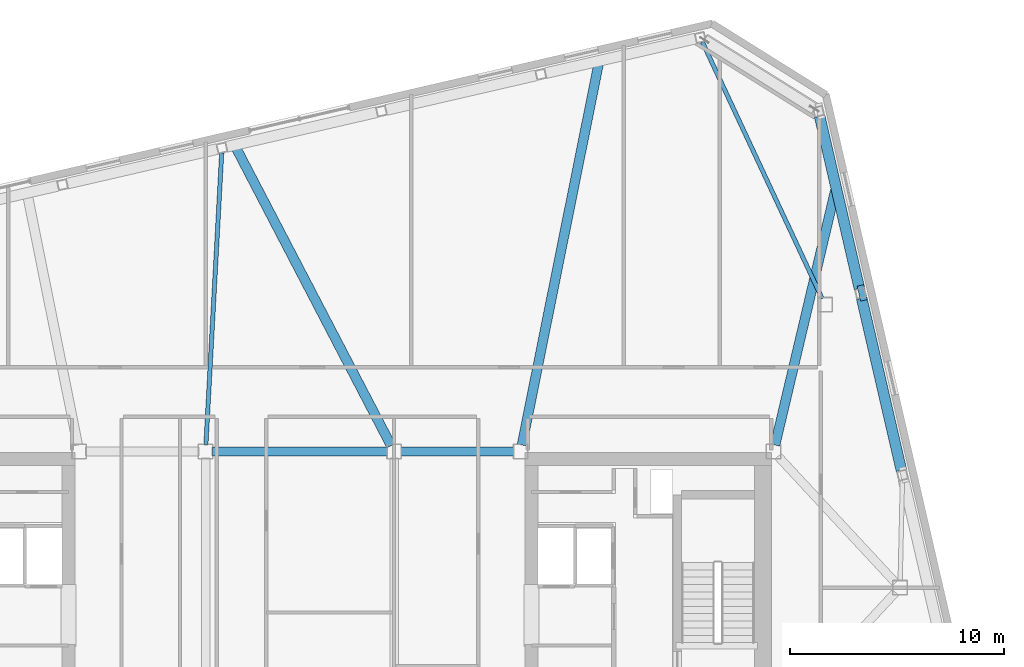
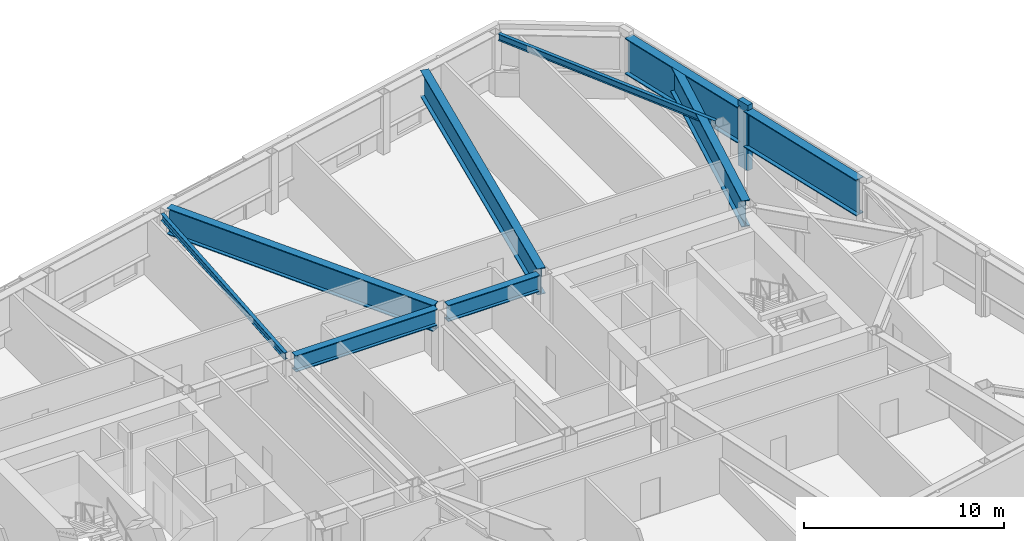
# One storey, part 13 of 23: 9 beams, 1 member.
"""IFC4 building model written with IfcOpenShell, lengths in metres."""

from ifc_helpers import new_model, si_unit, direction, frame, origin, origin_2d, place, context, subcontext, project, spatial, rectangle, i_section, extrude, material, material_profile, profile_set, type_object, element, save


model = new_model("IFC4")

# Units and contexts
model_context = context("Model", 3, precision=1e-05, world=origin(), true_north=direction((0.0, 1.0)))
body_context = subcontext(model_context, "Body", "Model", "MODEL_VIEW")
ifc_project = project(units=[si_unit("LENGTHUNIT", "METRE"), si_unit("AREAUNIT", "SQUARE_METRE"), si_unit("VOLUMEUNIT", "CUBIC_METRE"), si_unit("PLANEANGLEUNIT", "RADIAN"), si_unit("MASSUNIT", "GRAM", prefix="KILO")], contexts=[model_context])

# Site, building, storey
site_placement = place(None, origin())
site = spatial("IfcSite", under=ifc_project, at=site_placement, CompositionType="ELEMENT")
building_placement = place(site_placement, origin())
building = spatial("IfcBuilding", under=site, at=building_placement, Name="Tavrogorsk Clinical Tower", CompositionType="ELEMENT")
storey_placement = place(building_placement, frame((0.0, 0.0, 329.0)))
storey = spatial("IfcBuildingStorey", under=building, at=storey_placement, Name="L77", CompositionType="ELEMENT", Elevation=329.0)

# Beams
ifc_material_1 = material(Name="Structural steel S355", Category="steel")
ifc_material_profile_1 = material_profile(ifc_material_1, i_section(OverallWidth=0.199951171875, OverallDepth=0.39990234375, WebThickness=0.010498046875, FlangeThickness=0.01611328125, at=origin_2d()), Name="B-400x200x10.5x16")
ifc_profile_set_1 = profile_set([ifc_material_profile_1], Name="Structural steel S355")
beam_type_1 = type_object("IfcBeamType", Name="FloorBeam_B400", PredefinedType="BEAM", material=ifc_profile_set_1)
beam_1_placement = place(storey_placement, frame((24.368896484375, 13.48095703125, 3.47998046875), z_axis=(-0.422928957087, 0.906162842571, 0.0), x_axis=(-0.906162842571, -0.422928957087, 0.0)))
element("IfcBeam", 1, at=beam_1_placement, inside=storey, type_object=beam_type_1, Name="L77 Radial Floor Beam N1", PredefinedType="BEAM", context=body_context, shape_type="SweptSolid", body=[
    extrude(i_section(OverallWidth=0.199951171875, OverallDepth=0.39990234375, WebThickness=0.010498046875, FlangeThickness=0.01611328125, at=origin_2d()), origin(), (0.0, 0.0, 1.0), 13.214111328125),
])
beam_2_placement = place(storey_placement, frame((-4.38330078125, 6.65966796875, 3.47998046875), z_axis=(0.053993102157, 0.998541308569, 0.0), x_axis=(-0.998541308569, 0.053993102157, 0.0)))
element("IfcBeam", 2, at=beam_2_placement, inside=storey, type_object=beam_type_1, Name="L77 Radial Floor Beam N4", PredefinedType="BEAM", context=body_context, shape_type="SweptSolid", body=[
    extrude(i_section(OverallWidth=0.199951171875, OverallDepth=0.39990234375, WebThickness=0.010498046875, FlangeThickness=0.01611328125, at=origin_2d()), origin(), (0.0, 0.0, 1.0), 13.64208984375),
])

# Member
ifc_material_2 = material(Name="Precast concrete B45 with limestone cladding", Category="masonry")
ifc_material_profile_2 = material_profile(ifc_material_2, rectangle(XDim=0.320068359375, YDim=0.719970703125, at=origin_2d()), Name="LIMESTONE-FIN-320x720")
ifc_profile_set_2 = profile_set([ifc_material_profile_2], Name="Precast concrete B45 with limestone cladding")
member_type = type_object("IfcMemberType", Name="LimestonePleatFin_320x720", PredefinedType="USERDEFINED", material=ifc_profile_set_2)
member_placement = place(storey_placement, frame((26.23583984375, 13.750244140625, 0.0), z_axis=(0.0, 0.0, 1.0), x_axis=(0.974370064785, 0.224951054344, 0.0)))
element("IfcMember", 3, at=member_placement, inside=storey, type_object=member_type, Name="L77 E Pleated Stone Fin 3", ObjectType="FIN", PredefinedType="USERDEFINED", context=body_context, shape_type="SweptSolid", body=[
    extrude(rectangle(XDim=0.320068359375, YDim=0.719970703125, at=origin_2d()), origin(), (0.0, 0.0, 1.0), 4.0),
])

# Beams
ifc_material_3 = material(Name="Structural steel S440", Category="steel")
ifc_material_profile_3 = material_profile(ifc_material_3, i_section(OverallWidth=0.39990234375, OverallDepth=1.0, WebThickness=0.028076171875, FlangeThickness=0.044921875, at=origin_2d()), Name="DK-1000x400x28x45")
ifc_profile_set_3 = profile_set([ifc_material_profile_3], Name="Structural steel S440")
beam_type_2 = type_object("IfcBeamType", Name="TransferGirder_DK1000", PredefinedType="USERDEFINED", material=ifc_profile_set_3)
beam_3_placement = place(storey_placement, frame((-4.090087890625, 6.35009765625, 3.179931640625), z_axis=(1.0, 0.0, 0.0), x_axis=(0.0, 1.0, 0.0)))
element("IfcBeam", 4, at=beam_3_placement, inside=storey, type_object=beam_type_2, Name="L77 Primary Spine Girder MG-04", ObjectType="GIRDER", PredefinedType="USERDEFINED", context=body_context, shape_type="SweptSolid", body=[
    extrude(i_section(OverallWidth=0.39990234375, OverallDepth=1.0, WebThickness=0.028076171875, FlangeThickness=0.044921875, at=origin_2d()), origin(), (0.0, 0.0, 1.0), 8.18017578125),
])
beam_4_placement = place(storey_placement, frame((4.7099609375, 6.35009765625, 3.179931640625), z_axis=(1.0, 0.0, 0.0), x_axis=(0.0, 1.0, 0.0)))
element("IfcBeam", 5, at=beam_4_placement, inside=storey, type_object=beam_type_2, Name="L77 Primary Spine Girder MG-06", ObjectType="GIRDER", PredefinedType="USERDEFINED", context=body_context, shape_type="SweptSolid", body=[
    extrude(i_section(OverallWidth=0.39990234375, OverallDepth=1.0, WebThickness=0.028076171875, FlangeThickness=0.044921875, at=origin_2d()), origin(), (0.0, 0.0, 1.0), 5.280029296875),
])
ifc_material_4 = material(Name="Structural steel S440", Category="steel")
ifc_material_profile_4 = material_profile(ifc_material_4, i_section(OverallWidth=0.449951171875, OverallDepth=1.60009765625, WebThickness=0.031982421875, FlangeThickness=0.050048828125, at=origin_2d()), Name="DK-1600x450x32x50")
ifc_profile_set_4 = profile_set([ifc_material_profile_4], Name="Structural steel S440")
beam_type_3 = type_object("IfcBeamType", Name="TransferGirder_DK1600", PredefinedType="USERDEFINED", material=ifc_profile_set_4)
beam_5_placement = place(storey_placement, frame((22.17138671875, 6.651611328125, 2.8798828125), z_axis=(0.230197589059, 0.973143910217, 0.0), x_axis=(-0.973143910217, 0.230197589059, 0.0)))
element("IfcBeam", 6, at=beam_5_placement, inside=storey, type_object=beam_type_3, Name="L78 Crown Base Transfer Girder 03", ObjectType="GIRDER", PredefinedType="USERDEFINED", context=body_context, shape_type="SweptSolid", body=[
    extrude(i_section(OverallWidth=0.449951171875, OverallDepth=1.60009765625, WebThickness=0.031982421875, FlangeThickness=0.050048828125, at=origin_2d()), origin(), (0.0, 0.0, 1.0), 12.357666015625),
])
beam_6_placement = place(storey_placement, frame((4.2568359375, 6.625, 2.8798828125), z_axis=(-0.461845605712, 0.88696033535, 0.0), x_axis=(-0.88696033535, -0.461845605712, 0.0)))
element("IfcBeam", 7, at=beam_6_placement, inside=storey, type_object=beam_type_3, Name="L78 Crown Base Transfer Girder 09", ObjectType="GIRDER", PredefinedType="USERDEFINED", context=body_context, shape_type="SweptSolid", body=[
    extrude(i_section(OverallWidth=0.449951171875, OverallDepth=1.60009765625, WebThickness=0.031982421875, FlangeThickness=0.050048828125, at=origin_2d()), origin(), (0.0, 0.0, 1.0), 15.8125),
])
beam_7_placement = place(storey_placement, frame((10.361083984375, 6.65380859375, 2.8798828125), z_axis=(0.197227926299, 0.980357661819, 0.0), x_axis=(-0.980357661819, 0.197227926299, 0.0)))
element("IfcBeam", 8, at=beam_7_placement, inside=storey, type_object=beam_type_3, Name="L78 Crown Base Transfer Girder 10", ObjectType="GIRDER", PredefinedType="USERDEFINED", context=body_context, shape_type="SweptSolid", body=[
    extrude(i_section(OverallWidth=0.449951171875, OverallDepth=1.60009765625, WebThickness=0.031982421875, FlangeThickness=0.050048828125, at=origin_2d()), origin(), (0.0, 0.0, 1.0), 18.283203125),
])
ifc_material_5 = material(Name="Structural steel S440", Category="steel")
ifc_material_profile_5 = material_profile(ifc_material_5, i_section(OverallWidth=0.5, OverallDepth=2.199951171875, WebThickness=0.035888671875, FlangeThickness=0.054931640625, at=origin_2d()), Name="DK-2200x500x36x55")
ifc_profile_set_5 = profile_set([ifc_material_profile_5], Name="Structural steel S440")
beam_type_4 = type_object("IfcBeamType", Name="TransferGirder_DK2200", PredefinedType="USERDEFINED", material=ifc_profile_set_5)
beam_8_placement = place(storey_placement, frame((28.06494140625, 5.472412109375, 2.580078125), z_axis=(-0.224978460613, 0.974363737144, 0.0), x_axis=(-0.974363737144, -0.224978460613, 0.0)))
element("IfcBeam", 9, at=beam_8_placement, inside=storey, type_object=beam_type_4, Name="L77 Perimeter Spandrel E3-E4", ObjectType="GIRDER", PredefinedType="USERDEFINED", context=body_context, shape_type="SweptSolid", body=[
    extrude(i_section(OverallWidth=0.5, OverallDepth=2.199951171875, WebThickness=0.035888671875, FlangeThickness=0.054931640625, at=origin_2d()), origin(), (0.0, 0.0, 1.0), 8.244140625),
])
beam_9_placement = place(storey_placement, frame((26.10546875, 13.959228515625, 2.580078125), z_axis=(-0.224950345141, 0.974370228517, 0.0), x_axis=(-0.974370228517, -0.224950345141, 0.0)))
element("IfcBeam", 10, at=beam_9_placement, inside=storey, type_object=beam_type_4, Name="L77 Perimeter Spandrel E4-E5", ObjectType="GIRDER", PredefinedType="USERDEFINED", context=body_context, shape_type="SweptSolid", body=[
    extrude(i_section(OverallWidth=0.5, OverallDepth=2.199951171875, WebThickness=0.035888671875, FlangeThickness=0.054931640625, at=origin_2d()), origin(), (0.0, 0.0, 1.0), 8.243896484375),
])

save(model, "model.ifc")
